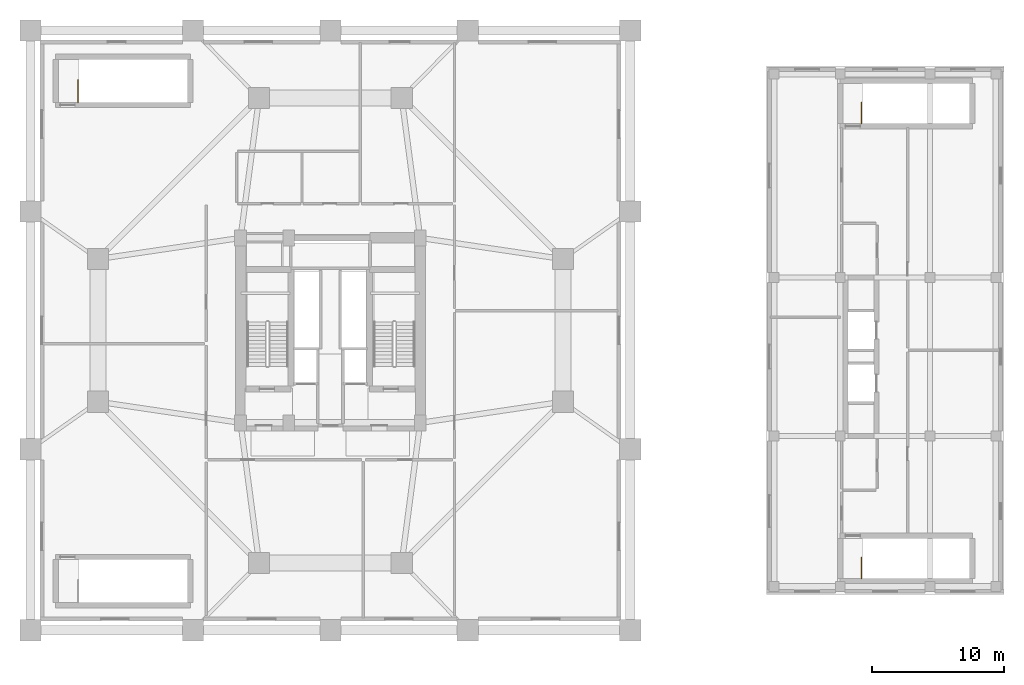
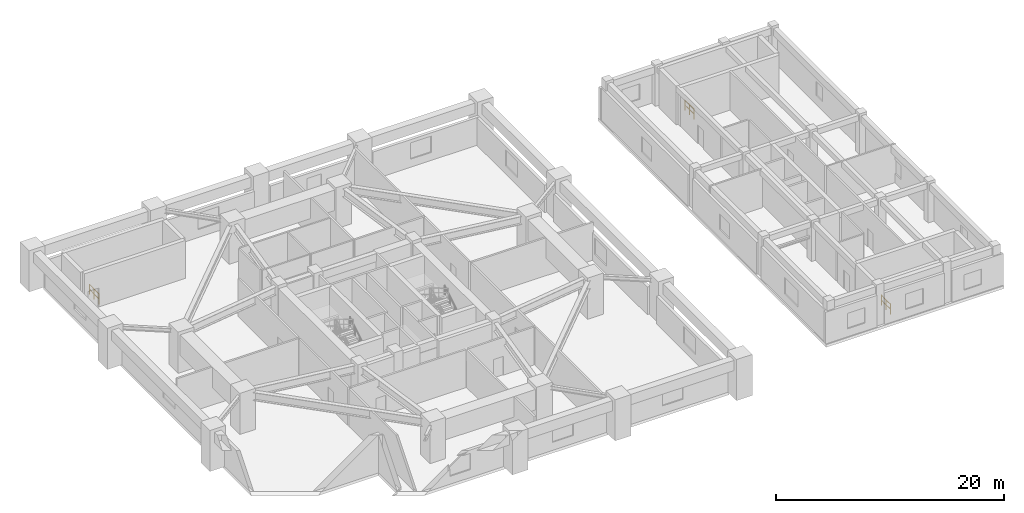
# One storey, part 8 of 8: 3 railings.
"""IFC4 building model written with IfcOpenShell, lengths in metres."""

from ifc_helpers import new_model, si_unit, direction, frame, origin, origin_2d, place, context, subcontext, project, spatial, circle, extrude, material, type_object, element, save


model = new_model("IFC4")

# Units and contexts
model_context = context("Model", 3, precision=1e-05, world=origin(), true_north=direction((0.0, 1.0)))
body_context = subcontext(model_context, "Body", "Model", "MODEL_VIEW")
ifc_project = project(units=[si_unit("LENGTHUNIT", "METRE"), si_unit("AREAUNIT", "SQUARE_METRE"), si_unit("VOLUMEUNIT", "CUBIC_METRE"), si_unit("PLANEANGLEUNIT", "RADIAN"), si_unit("MASSUNIT", "GRAM", prefix="KILO")], contexts=[model_context])

# Site, building, storey
site_placement = place(None, origin())
site = spatial("IfcSite", under=ifc_project, at=site_placement, CompositionType="ELEMENT")
building_placement = place(site_placement, origin())
building = spatial("IfcBuilding", under=site, at=building_placement, Name="Veraguas Prism Commons", CompositionType="ELEMENT")
storey_placement = place(building_placement, frame((0.0, 0.0, 18.39990234375)))
storey = spatial("IfcBuildingStorey", under=building, at=storey_placement, Name="L04", CompositionType="ELEMENT", Elevation=18.39990234375)

# Railings
ifc_material = material(Name="Stainless steel AISI 316", Category="steel")
railing_type = type_object("IfcRailingType", Name="Stairwell Safety Guardrail 1100", PredefinedType="GUARDRAIL", material=ifc_material)
railing_placement = place(storey_placement, frame((4.89990234375, 41.260009765625, 0.0)))
element("IfcRailing", 1, at=railing_placement, inside=storey, type_object=railing_type, Name="Top Stairwell Guard ST-M2 1", PredefinedType="GUARDRAIL", context=body_context, shape_type="SweptSolid", body=[
    extrude(circle(Radius=0.02392578125, at=origin_2d()), frame((0.0, 0.0, 1.076171875), z_axis=(0.0, 1.0, 0.0), x_axis=(-1.0, 0.0, 0.0)), (0.0, 0.0, 1.0), 1.699951171875),
    extrude(circle(Radius=0.02392578125, at=origin_2d()), frame((0.0, 0.0, 0.550048828125), z_axis=(0.0, 1.0, 0.0), x_axis=(-1.0, 0.0, 0.0)), (0.0, 0.0, 1.0), 1.699951171875),
    extrude(circle(Radius=0.02099609375, at=origin_2d()), origin(), (0.0, 0.0, 1.0), 1.052001953125),
    extrude(circle(Radius=0.02099609375, at=origin_2d()), frame((0.0, 0.85009765625, 0.0)), (0.0, 0.0, 1.0), 1.052001953125),
    extrude(circle(Radius=0.02099609375, at=origin_2d()), frame((0.0, 1.699951171875, 0.0)), (0.0, 0.0, 1.0), 1.052001953125),
])
for number, where, name in (
    (2, (64.199951171875, 5.199951171875, 0.0), "Top Stairwell Guard ST-H1 1"),
    (3, (64.199951171875, 39.659912109375, 0.0), "Top Stairwell Guard ST-H2 1"),
):
    element("IfcRailing", number, at=place(storey_placement, frame(where)), inside=storey, type_object=railing_type, Name=name, PredefinedType="GUARDRAIL", context=body_context, shape_type="SweptSolid", body=[
        extrude(circle(Radius=0.02392578125, at=origin_2d()), frame((0.0, 0.0, 1.076171875), z_axis=(0.0, 1.0, 0.0), x_axis=(-1.0, 0.0, 0.0)), (0.0, 0.0, 1.0), 1.60009765625),
        extrude(circle(Radius=0.02392578125, at=origin_2d()), frame((0.0, 0.0, 0.550048828125), z_axis=(0.0, 1.0, 0.0), x_axis=(-1.0, 0.0, 0.0)), (0.0, 0.0, 1.0), 1.60009765625),
        extrude(circle(Radius=0.02099609375, at=origin_2d()), origin(), (0.0, 0.0, 1.0), 1.052001953125),
        extrude(circle(Radius=0.02099609375, at=origin_2d()), frame((0.0, 0.800048828125, 0.0)), (0.0, 0.0, 1.0), 1.052001953125),
        extrude(circle(Radius=0.02099609375, at=origin_2d()), frame((0.0, 1.60009765625, 0.0)), (0.0, 0.0, 1.0), 1.052001953125),
    ])

save(model, "model.ifc")
